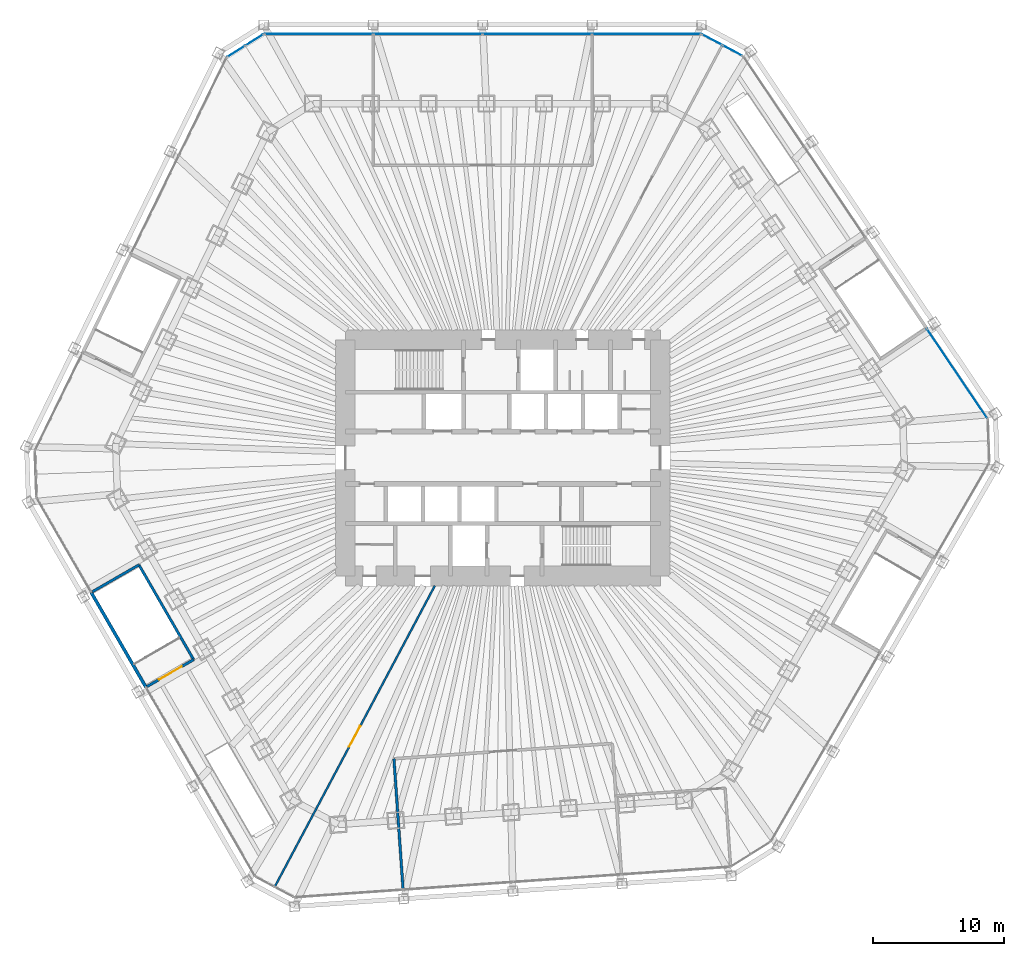
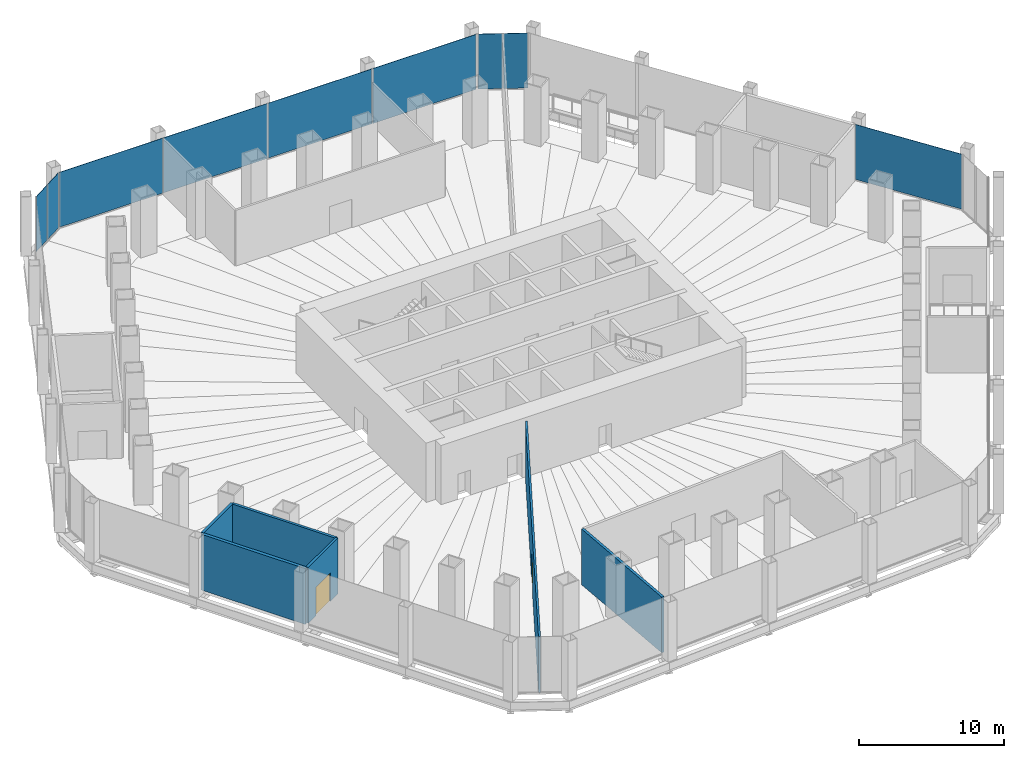
# One storey, part 14 of 18: 9 plates, 6 walls, 2 doors, 2 openings, 4 elements without a shape of their own.
"""IFC4 building model written with IfcOpenShell, lengths in metres."""

from ifc_helpers import new_model, si_unit, direction, frame, frame_2d, origin, origin_2d, place, context, subcontext, project, spatial, rectangle, extrude, material, layer, layer_set, type_object, element, fill, aggregate, save


model = new_model("IFC4")

# Units and contexts
model_context = context("Model", 3, precision=1e-05, world=origin(), true_north=direction((0.0, 1.0)))
body_context = subcontext(model_context, "Body", "Model", "MODEL_VIEW")
ifc_project = project(units=[si_unit("LENGTHUNIT", "METRE"), si_unit("AREAUNIT", "SQUARE_METRE"), si_unit("VOLUMEUNIT", "CUBIC_METRE"), si_unit("PLANEANGLEUNIT", "RADIAN"), si_unit("MASSUNIT", "GRAM", prefix="KILO")], contexts=[model_context])

# Site, building, storey
site_placement = place(None, origin())
site = spatial("IfcSite", under=ifc_project, at=site_placement, CompositionType="ELEMENT")
building_placement = place(site_placement, origin())
building = spatial("IfcBuilding", under=site, at=building_placement, Name="Qingtian Harvest Tower", CompositionType="ELEMENT")
storey_placement = place(building_placement, frame((0.0, 0.0, 12.0)))
storey = spatial("IfcBuildingStorey", under=building, at=storey_placement, Name="L02", CompositionType="ELEMENT", Elevation=12.0)

# Curtain wall, plates
ifc_material_1 = material(Name="Bronze-anodised aluminium curtain wall", Category="aluminium")
curtain_wall_type = type_object("IfcCurtainWallType", Name="Curtain wall CW1 podium shopfront", PredefinedType="USERDEFINED", material=ifc_material_1)
curtain_wall_1_placement = place(storey_placement, origin())
curtain_wall_1 = element("IfcCurtainWall", 1, at=curtain_wall_1_placement, inside=storey, type_object=curtain_wall_type, Name="Curtain wall CW1 L02 N0-3", ObjectType="RECESSED CURTAIN WALL", PredefinedType="USERDEFINED")
ifc_material_2 = material(Name="Bronze-tinted laminated insulating glass", Category="glass")
ifc_layer_1 = layer(ifc_material_2, 0.030029296875)
ifc_layer_set_1 = layer_set([ifc_layer_1], Name="Glazed panel CWP tinted IGU")
plate_type = type_object("IfcPlateType", Name="Glazed panel CWP tinted IGU", PredefinedType="CURTAIN_PANEL", material=ifc_layer_set_1)
plate_1_placement = place(storey_placement, frame((-14.033447265625, 32.300048828125, 0.06494140625), z_axis=(0.0, 0.0, 1.0), x_axis=(1.0, 0.0, 0.0)))
plate_1 = element("IfcPlate", 2, at=plate_1_placement, type_object=plate_type, Name="CW1 panel 1.1", PredefinedType="CURTAIN_PANEL", context=body_context, shape_type="SweptSolid", body=[
    extrude(rectangle(XDim=8.244384765625, YDim=0.030029296875, at=origin_2d()), origin(), (0.0, 0.0, 1.0), 4.635009765625),
])
plate_2_placement = place(storey_placement, frame((-5.7080078125, 32.300048828125, 0.06494140625), z_axis=(0.0, 0.0, 1.0), x_axis=(1.0, 0.0, 0.0)))
plate_2 = element("IfcPlate", 3, at=plate_2_placement, type_object=plate_type, Name="CW1 panel 2.1", PredefinedType="CURTAIN_PANEL", context=body_context, shape_type="SweptSolid", body=[
    extrude(rectangle(XDim=8.27685546875, YDim=0.030029296875, at=origin_2d()), origin(), (0.0, 0.0, 1.0), 4.635009765625),
])
plate_3_placement = place(storey_placement, frame((2.6337890625, 32.300048828125, 0.06494140625), z_axis=(0.0, 0.0, 1.0), x_axis=(1.0, 0.0, 0.0)))
plate_3 = element("IfcPlate", 4, at=plate_3_placement, type_object=plate_type, Name="CW1 panel 3.1", PredefinedType="CURTAIN_PANEL", context=body_context, shape_type="SweptSolid", body=[
    extrude(rectangle(XDim=8.27685546875, YDim=0.030029296875, at=origin_2d()), origin(), (0.0, 0.0, 1.0), 4.635009765625),
])
plate_4_placement = place(storey_placement, frame((10.959228515625, 32.300048828125, 0.06494140625), z_axis=(0.0, 0.0, 1.0), x_axis=(1.0, 0.0, 0.0)))
plate_4 = element("IfcPlate", 5, at=plate_4_placement, type_object=plate_type, Name="CW1 panel 4.1", PredefinedType="CURTAIN_PANEL", context=body_context, shape_type="SweptSolid", body=[
    extrude(rectangle(XDim=8.244384765625, YDim=0.030029296875, at=origin_2d()), origin(), (0.0, 0.0, 1.0), 4.635009765625),
])
aggregate(curtain_wall_1, [plate_1, plate_2, plate_3, plate_4])

curtain_wall_2_placement = place(storey_placement, origin())
curtain_wall_2 = element("IfcCurtainWall", 6, at=curtain_wall_2_placement, inside=storey, type_object=curtain_wall_type, Name="Curtain wall CW1 L02 NC", ObjectType="RECESSED CURTAIN WALL", PredefinedType="USERDEFINED")
plate_5_placement = place(storey_placement, frame((15.951171875, 31.8720703125, 0.06494140625), z_axis=(0.0, 0.0, 1.0), x_axis=(0.882947592859, -0.469471562786, 0.0)))
plate_5 = element("IfcPlate", 7, at=plate_5_placement, type_object=plate_type, Name="CW1 panel 1.1", PredefinedType="CURTAIN_PANEL", context=body_context, shape_type="SweptSolid", body=[
    extrude(rectangle(XDim=1.69287109375, YDim=0.030029296875, at=origin_2d()), origin(), (0.0, 0.0, 1.0), 4.635009765625),
])
plate_6_placement = place(storey_placement, frame((17.50341796875, 31.046875, 0.06494140625), z_axis=(0.0, 0.0, 1.0), x_axis=(0.882947592859, -0.469471562786, 0.0)))
plate_6 = element("IfcPlate", 8, at=plate_6_placement, type_object=plate_type, Name="CW1 panel 2.1", PredefinedType="CURTAIN_PANEL", context=body_context, shape_type="SweptSolid", body=[
    extrude(rectangle(XDim=1.69287109375, YDim=0.030029296875, at=origin_2d()), origin(), (0.0, 0.0, 1.0), 4.635009765625),
])
aggregate(curtain_wall_2, [plate_5, plate_6])

# Curtain wall, plate
curtain_wall_3_placement = place(storey_placement, origin())
curtain_wall_3 = element("IfcCurtainWall", 9, at=curtain_wall_3_placement, inside=storey, type_object=curtain_wall_type, Name="Curtain wall CW1 L02 NE3", ObjectType="RECESSED CURTAIN WALL", PredefinedType="USERDEFINED")
plate_7_placement = place(storey_placement, frame((34.634521484375, 6.4140625, 0.06494140625), z_axis=(0.0, 0.0, 1.0), x_axis=(0.559192903471, -0.829037572555, 0.0)))
plate_7 = element("IfcPlate", 10, at=plate_7_placement, type_object=plate_type, Name="CW1 panel 1.1", PredefinedType="CURTAIN_PANEL", context=body_context, shape_type="SweptSolid", body=[
    extrude(rectangle(XDim=8.211669921875, YDim=0.030029296875, at=origin_2d()), origin(), (0.0, 0.0, 1.0), 4.635009765625),
])
aggregate(curtain_wall_3, [plate_7])

# Curtain wall, plates
curtain_wall_4_placement = place(storey_placement, origin())
curtain_wall_4 = element("IfcCurtainWall", 11, at=curtain_wall_4_placement, inside=storey, type_object=curtain_wall_type, Name="Curtain wall CW1 L02 NWC", ObjectType="RECESSED CURTAIN WALL", PredefinedType="USERDEFINED")
plate_8_placement = place(storey_placement, frame((-20.32421875, 30.985595703125, 0.06494140625), z_axis=(0.0, 0.0, 1.0), x_axis=(0.848048096156, 0.529919264233, 0.0)))
plate_8 = element("IfcPlate", 12, at=plate_8_placement, type_object=plate_type, Name="CW1 panel 1.1", PredefinedType="CURTAIN_PANEL", context=body_context, shape_type="SweptSolid", body=[
    extrude(rectangle(XDim=1.56689453125, YDim=0.030029296875, at=origin_2d()), origin(), (0.0, 0.0, 1.0), 4.635009765625),
])
plate_9_placement = place(storey_placement, frame((-18.940185546875, 31.850341796875, 0.06494140625), z_axis=(0.0, 0.0, 1.0), x_axis=(0.848048096156, 0.529919264233, 0.0)))
plate_9 = element("IfcPlate", 13, at=plate_9_placement, type_object=plate_type, Name="CW1 panel 2.1", PredefinedType="CURTAIN_PANEL", context=body_context, shape_type="SweptSolid", body=[
    extrude(rectangle(XDim=1.56689453125, YDim=0.030029296875, at=origin_2d()), origin(), (0.0, 0.0, 1.0), 4.635009765625),
])
aggregate(curtain_wall_4, [plate_8, plate_9])

# Walls
ifc_material_3 = material(Name="Bronze-clad steel-framed screen wall with fire-rated lining", Category="steel")
ifc_layer_2 = layer(ifc_material_3, 0.25)
ifc_layer_set_2 = layer_set([ifc_layer_2], Name="Facade door bay wall FW2 250")
wall_type_1 = type_object("IfcWallType", Name="Facade door bay wall FW2 250", PredefinedType="SOLIDWALL", material=ifc_layer_set_2)
wall_1_placement = place(storey_placement, frame((-27.2041015625, -17.481201171875, 0.0), z_axis=(0.0, 0.0, 1.0), x_axis=(-0.500004511595, 0.866022798998, 0.0)))
element("IfcWall", 14, at=wall_1_placement, inside=storey, type_object=wall_type_1, Name="Exit stair wall bay SW2", PredefinedType="SOLIDWALL", context=body_context, shape_type="SweptSolid", body=[
    extrude(rectangle(XDim=8.341796875, YDim=0.25, at=frame_2d((4.1708984375, 0.0))), origin(), (0.0, 0.0, 1.0), 4.699951171875),
])
ifc_material_4 = material(Name="Blockwork fire wall", Category="masonry")
ifc_layer_3 = layer(ifc_material_4, 0.199951171875)
ifc_layer_set_3 = layer_set([ifc_layer_3], Name="Fire partition FW1 200")
wall_type_2 = type_object("IfcWallType", Name="Fire partition FW1 200", PredefinedType="PARTITIONING", material=ifc_layer_set_3)
wall_2_placement = place(storey_placement, frame((-7.608642578125, -32.810791015625, 0.0), z_axis=(0.0, 0.0, 1.0), x_axis=(-0.069764341483, 0.997563500063, 0.0)))
element("IfcWall", 15, at=wall_2_placement, inside=storey, type_object=wall_type_2, Name="Restaurant kitchen wall L02", PredefinedType="PARTITIONING", context=body_context, shape_type="SweptSolid", body=[
    extrude(rectangle(XDim=9.900146484375, YDim=0.199951171875, at=frame_2d((4.9501953125, 0.0))), origin(), (0.0, 0.0, 1.0), 4.699951171875),
])

# Wall, opening, door
wall_3_placement = place(storey_placement, frame((-27.117431640625, -17.43115234375, 0.0), z_axis=(0.0, 0.0, 1.0), x_axis=(0.8660249478, 0.500000789788, 0.0)))
wall_3 = element("IfcWall", 16, at=wall_3_placement, inside=storey, type_object=wall_type_2, Name="Exit stair P3 enclosure L02", PredefinedType="PARTITIONING", context=body_context, shape_type="SweptSolid", body=[
    extrude(rectangle(XDim=4.10009765625, YDim=0.199951171875, at=frame_2d((2.050048828125, 0.0))), origin(), (0.0, 0.0, 1.0), 4.699951171875),
])
opening_1_placement = place(wall_3_placement, frame((1.050048828125, 0.0, 0.0)))
opening_1 = element("IfcOpeningElement", 17, at=opening_1_placement, cuts=wall_3, Name="Opening FD3", PredefinedType="OPENING", context=body_context, shape_type="SweptSolid", body=[
    extrude(rectangle(XDim=2.0, YDim=2.39990234375, at=frame_2d((1.0, 1.199951171875))), frame((0.0, 0.10986328125, 0.0), z_axis=(0.0, -1.0, 0.0), x_axis=(1.0, 0.0, 0.0)), (0.0, 0.0, 1.0), 0.219970703125),
])
ifc_material_5 = material(Name="Steel-faced door leaf", Category="steel")
door_type_1 = type_object("IfcDoorType", Name="Fire door FD3 double 2 HR", OperationType="DOUBLE_DOOR_DOUBLE_SWING", PredefinedType="DOOR", material=ifc_material_5)
door_1_placement = place(opening_1_placement, origin())
door_1 = element("IfcDoor", 18, at=door_1_placement, inside=storey, type_object=door_type_1, Name="Exit stair P3 door L02", OperationType="DOUBLE_DOOR_DOUBLE_SWING", OverallHeight=2.39990234375, OverallWidth=2.0, PredefinedType="DOOR", context=body_context, shape_type="SweptSolid", body=[
    extrude(rectangle(XDim=2.0, YDim=2.39990234375, at=frame_2d((1.0, 1.199951171875))), frame((0.0, 0.02490234375, 0.0), z_axis=(0.0, -1.0, 0.0), x_axis=(1.0, 0.0, 0.0)), (0.0, 0.0, 1.0), 0.050048828125),
])
fill(opening_1, door_1)

# Walls
wall_4_placement = place(storey_placement, frame((-31.288330078125, -10.20703125, 0.0), z_axis=(0.0, 0.0, 1.0), x_axis=(0.8660249478, 0.500000789788, 0.0)))
element("IfcWall", 19, at=wall_4_placement, inside=storey, type_object=wall_type_2, Name="Exit stair P3 enclosure L02", PredefinedType="PARTITIONING", context=body_context, shape_type="SweptSolid", body=[
    extrude(rectangle(XDim=4.10009765625, YDim=0.199951171875, at=frame_2d((2.050048828125, 0.0))), origin(), (0.0, 0.0, 1.0), 4.699951171875),
])
wall_5_placement = place(storey_placement, frame((-23.566650390625, -15.381103515625, 0.0), z_axis=(0.0, 0.0, 1.0), x_axis=(-0.500004511595, 0.866022798998, 0.0)))
element("IfcWall", 20, at=wall_5_placement, inside=storey, type_object=wall_type_2, Name="Exit stair P3 enclosure L02", PredefinedType="PARTITIONING", context=body_context, shape_type="SweptSolid", body=[
    extrude(rectangle(XDim=8.341796875, YDim=0.199951171875, at=frame_2d((4.1708984375, 0.0))), origin(), (0.0, 0.0, 1.0), 4.699951171875),
])

# Wall, opening, door
ifc_material_6 = material(Name="Gypsum board on steel studs", Category="steel")
ifc_layer_4 = layer(ifc_material_6, 0.14990234375)
ifc_layer_set_4 = layer_set([ifc_layer_4], Name="Partition PT1 150")
wall_type_3 = type_object("IfcWallType", Name="Partition PT1 150", PredefinedType="PARTITIONING", material=ifc_layer_set_4)
wall_6_placement = place(storey_placement, frame((-5.18408203125, -9.75, 0.0), z_axis=(0.0, 0.0, 1.0), x_axis=(-0.469477354847, -0.882944513141, 0.0)))
wall_6 = element("IfcWall", 21, at=wall_6_placement, inside=storey, type_object=wall_type_3, Name="Hall dividing wall L02", PredefinedType="PARTITIONING", context=body_context, shape_type="SweptSolid", body=[
    extrude(rectangle(XDim=26.0048828125, YDim=0.14990234375, at=frame_2d((13.00244140625, 0.0))), origin(), (0.0, 0.0, 1.0), 4.699951171875),
])
opening_2_placement = place(wall_6_placement, frame((12.1025390625, 0.0, 0.0)))
opening_2 = element("IfcOpeningElement", 22, at=opening_2_placement, cuts=wall_6, Name="Opening D3", PredefinedType="OPENING", context=body_context, shape_type="SweptSolid", body=[
    extrude(rectangle(XDim=1.800048828125, YDim=2.39990234375, at=frame_2d((0.89990234375, 1.199951171875))), frame((0.0, 0.0849609375, 0.0), z_axis=(0.0, -1.0, 0.0), x_axis=(1.0, 0.0, 0.0)), (0.0, 0.0, 1.0), 0.169921875),
])
ifc_material_7 = material(Name="Laminated timber door leaf", Category="wood")
door_type_2 = type_object("IfcDoorType", Name="Room door D3 double", OperationType="DOUBLE_DOOR_DOUBLE_SWING", PredefinedType="DOOR", material=ifc_material_7)
door_2_placement = place(opening_2_placement, origin())
door_2 = element("IfcDoor", 23, at=door_2_placement, inside=storey, type_object=door_type_2, Name="Hall door L02", OperationType="DOUBLE_DOOR_DOUBLE_SWING", OverallHeight=2.39990234375, OverallWidth=1.800048828125, PredefinedType="DOOR", context=body_context, shape_type="SweptSolid", body=[
    extrude(rectangle(XDim=1.800048828125, YDim=2.39990234375, at=frame_2d((0.89990234375, 1.199951171875))), frame((0.0, 0.02490234375, 0.0), z_axis=(0.0, -1.0, 0.0), x_axis=(1.0, 0.0, 0.0)), (0.0, 0.0, 1.0), 0.050048828125),
])
fill(opening_2, door_2)

save(model, "model.ifc")
